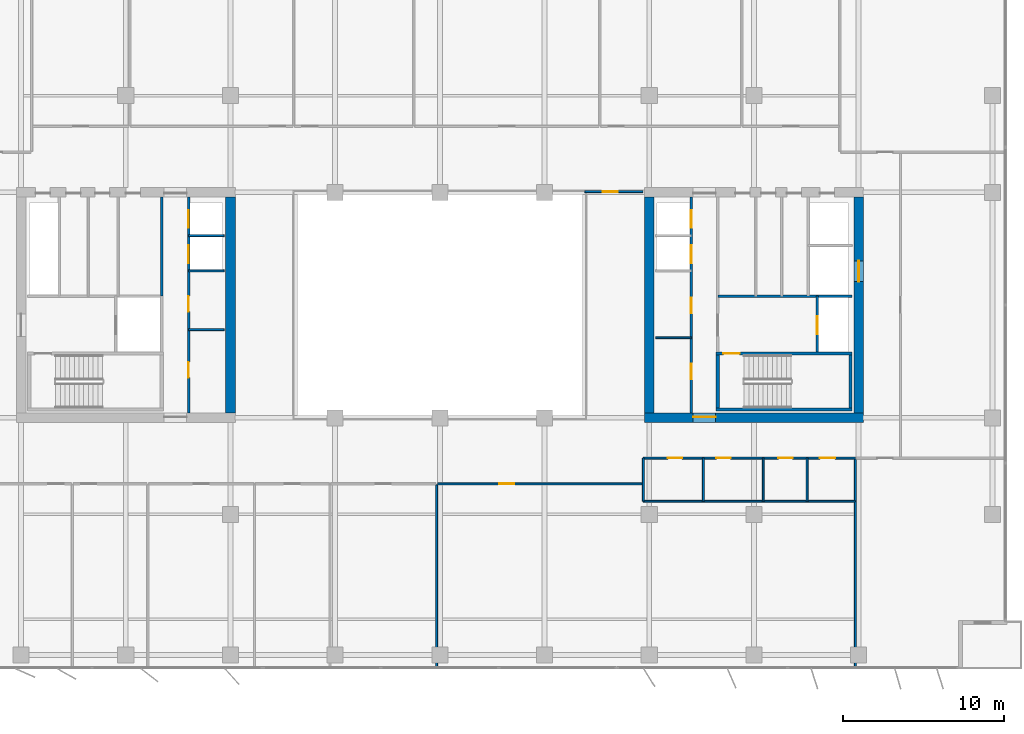
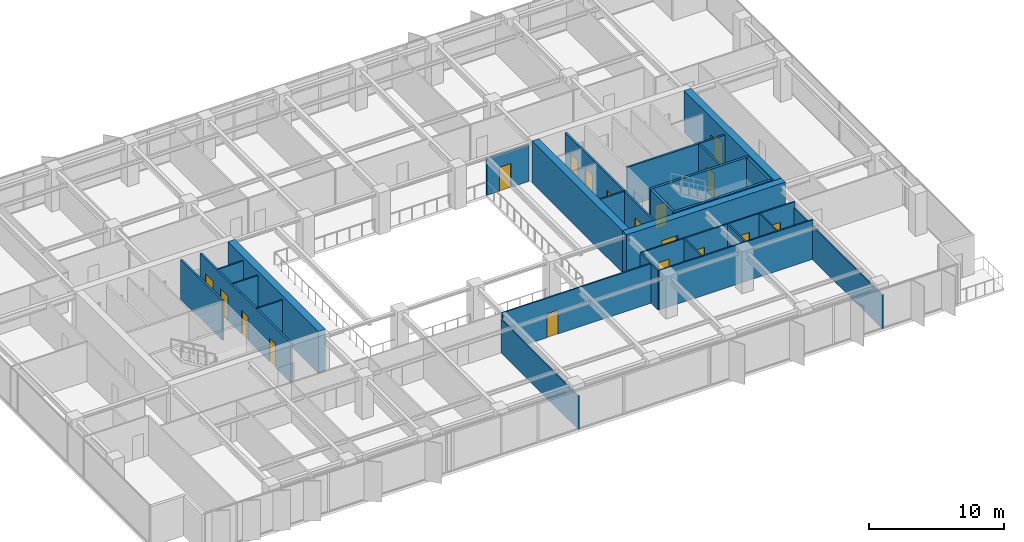
# One storey, part 16 of 22: 27 walls, 18 doors, 18 openings.
"""IFC4 building model written with IfcOpenShell, lengths in metres."""

from ifc_helpers import new_model, si_unit, direction, frame, frame_2d, origin, place, context, subcontext, project, spatial, rectangle, extrude, material, layer, layer_set, type_object, element, fill, save


model = new_model("IFC4")

# Units and contexts
model_context = context("Model", 3, precision=1e-05, world=origin(), true_north=direction((0.0, 1.0)))
body_context = subcontext(model_context, "Body", "Model", "MODEL_VIEW")
ifc_project = project(units=[si_unit("LENGTHUNIT", "METRE"), si_unit("AREAUNIT", "SQUARE_METRE"), si_unit("VOLUMEUNIT", "CUBIC_METRE"), si_unit("PLANEANGLEUNIT", "RADIAN"), si_unit("MASSUNIT", "GRAM", prefix="KILO")], contexts=[model_context])

# Site, building, storey
site_placement = place(None, origin())
site = spatial("IfcSite", under=ifc_project, at=site_placement, CompositionType="ELEMENT")
building_placement = place(site_placement, origin())
building = spatial("IfcBuilding", under=site, at=building_placement, Name="Putna Gate Headquarters", CompositionType="ELEMENT")
storey_placement = place(building_placement, frame((0.0, 0.0, 182.199951171875)))
storey = spatial("IfcBuildingStorey", under=building, at=storey_placement, Name="L45", CompositionType="ELEMENT", Elevation=182.199951171875)

# Wall
ifc_material_1 = material(Name="Concrete C50/60", Category="concrete")
ifc_layer_1 = layer(ifc_material_1, 0.60009765625)
ifc_layer_set_1 = layer_set([ifc_layer_1], Name="Concrete C50/60")
wall_type_1 = type_object("IfcWallType", Name="WALL-CORE-600", PredefinedType="SHEAR", material=ifc_layer_set_1)
wall_1_placement = place(storey_placement, frame((26.0, 19.300048828125, 0.0), z_axis=(0.0, 0.0, 1.0), x_axis=(0.0, 1.0, 0.0)))
element("IfcWall", 1, at=wall_1_placement, inside=storey, type_object=wall_type_1, Name="L45 WC Split Core Shear Wall E", PredefinedType="SHEAR", context=body_context, shape_type="SweptSolid", body=[
    extrude(rectangle(XDim=13.39990234375, YDim=0.60009765625, at=frame_2d((6.699951171875, 0.0))), origin(), (0.0, 0.0, 1.0), 3.800048828125),
])

# Wall, opening, door
wall_2_placement = place(storey_placement, frame((51.699951171875, 19.0, 0.0), z_axis=(0.0, 0.0, 1.0), x_axis=(1.0, 0.0, 0.0)))
wall_2 = element("IfcWall", 2, at=wall_2_placement, inside=storey, type_object=wall_type_1, Name="L45 EC Split Core Shear Wall S", PredefinedType="SHEAR", context=body_context, shape_type="SweptSolid", body=[
    extrude(rectangle(XDim=13.60009765625, YDim=0.60009765625, at=frame_2d((6.800048828125, 0.0))), origin(), (0.0, 0.0, 1.0), 3.800048828125),
])
opening_1_placement = place(wall_2_placement, frame((3.02001953125, 0.0, 0.0)))
opening_1 = element("IfcOpeningElement", 3, at=opening_1_placement, cuts=wall_2, Name="Opening FDD-140", PredefinedType="OPENING", context=body_context, shape_type="SweptSolid", body=[
    extrude(rectangle(XDim=1.39990234375, YDim=2.199951171875, at=frame_2d((0.699951171875, 1.10009765625))), frame((0.0, 0.31005859375, 0.0), z_axis=(0.0, -1.0, 0.0), x_axis=(1.0, 0.0, 0.0)), (0.0, 0.0, 1.0), 0.6201171875),
])
ifc_material_2 = material(Name="Double steel fire door", Category="steel")
door_type_1 = type_object("IfcDoorType", Name="DOOR-FIRE-DBL-1400", OperationType="DOUBLE_DOOR_SINGLE_SWING", PredefinedType="DOOR", material=ifc_material_2)
door_1_placement = place(opening_1_placement, origin())
door_1 = element("IfcDoor", 4, at=door_1_placement, inside=storey, type_object=door_type_1, Name="L45 East Lift Lobby South Door", OperationType="DOUBLE_DOOR_SINGLE_SWING", OverallHeight=2.199951171875, OverallWidth=1.39990234375, PredefinedType="DOOR", context=body_context, shape_type="SweptSolid", body=[
    extrude(rectangle(XDim=1.39990234375, YDim=2.199951171875, at=frame_2d((0.699951171875, 1.10009765625))), frame((0.0, 0.0751953125, 0.0), z_axis=(0.0, -1.0, 0.0), x_axis=(1.0, 0.0, 0.0)), (0.0, 0.0, 1.0), 0.050048828125),
])
fill(opening_1, door_1)

# Wall
wall_3_placement = place(storey_placement, frame((52.0, 19.300048828125, 0.0), z_axis=(0.0, 0.0, 1.0), x_axis=(0.0, 1.0, 0.0)))
element("IfcWall", 5, at=wall_3_placement, inside=storey, type_object=wall_type_1, Name="L45 EC Split Core Shear Wall W", PredefinedType="SHEAR", context=body_context, shape_type="SweptSolid", body=[
    extrude(rectangle(XDim=13.39990234375, YDim=0.60009765625, at=frame_2d((6.699951171875, 0.0))), origin(), (0.0, 0.0, 1.0), 3.800048828125),
])

# Wall, opening, door
wall_4_placement = place(storey_placement, frame((65.0, 19.300048828125, 0.0), z_axis=(0.0, 0.0, 1.0), x_axis=(0.0, 1.0, 0.0)))
wall_4 = element("IfcWall", 6, at=wall_4_placement, inside=storey, type_object=wall_type_1, Name="L45 EC Split Core Shear Wall E", PredefinedType="SHEAR", context=body_context, shape_type="SweptSolid", body=[
    extrude(rectangle(XDim=13.39990234375, YDim=0.60009765625, at=frame_2d((6.699951171875, 0.0))), origin(), (0.0, 0.0, 1.0), 3.800048828125),
])
opening_2_placement = place(wall_4_placement, frame((8.14990234375, 0.0, 0.0)))
opening_2 = element("IfcOpeningElement", 7, at=opening_2_placement, cuts=wall_4, Name="Opening LD-2", PredefinedType="OPENING", context=body_context, shape_type="SweptSolid", body=[
    extrude(rectangle(XDim=1.300048828125, YDim=2.199951171875, at=frame_2d((0.64990234375, 1.10009765625))), frame((0.0, 0.31005859375, 0.0), z_axis=(0.0, -1.0, 0.0), x_axis=(1.0, 0.0, 0.0)), (0.0, 0.0, 1.0), 0.6201171875),
])
ifc_material_3 = material(Name="Heavy-duty goods lift sliding landing door")
door_type_2 = type_object("IfcDoorType", Name="DOOR-LIFT-1300", OperationType="DOUBLE_DOOR_SLIDING", PredefinedType="DOOR", material=ifc_material_3)
door_2_placement = place(opening_2_placement, origin())
door_2 = element("IfcDoor", 8, at=door_2_placement, inside=storey, type_object=door_type_2, Name="L45 Goods Lift Landing Door LD-15", OperationType="DOUBLE_DOOR_SLIDING", OverallHeight=2.199951171875, OverallWidth=1.300048828125, PredefinedType="DOOR", context=body_context, shape_type="SweptSolid", body=[
    extrude(rectangle(XDim=1.300048828125, YDim=2.199951171875, at=frame_2d((0.64990234375, 1.10009765625))), frame((0.0, 0.02490234375, 0.0), z_axis=(0.0, -1.0, 0.0), x_axis=(1.0, 0.0, 0.0)), (0.0, 0.0, 1.0), 0.050048828125),
])
fill(opening_2, door_2)

ifc_material_4 = material(Name="Acoustic gypsum board on metal stud")
ifc_layer_2 = layer(ifc_material_4, 0.1201171875)
ifc_layer_set_2 = layer_set([ifc_layer_2], Name="Acoustic gypsum board on metal stud")
wall_type_2 = type_object("IfcWallType", Name="WALL-PART-120", PredefinedType="PARTITIONING", material=ifc_layer_set_2)
wall_5_placement = place(storey_placement, frame((48.0, 33.0400390625, 0.0), z_axis=(0.0, 0.0, 1.0), x_axis=(1.0, 0.0, 0.0)))
wall_5 = element("IfcWall", 9, at=wall_5_placement, inside=storey, type_object=wall_type_2, Name="L45 Interior Wall PART-L45-ATR-E-N", PredefinedType="PARTITIONING", context=body_context, shape_type="SweptSolid", body=[
    extrude(rectangle(XDim=3.60009765625, YDim=0.1201171875, at=frame_2d((1.800048828125, 0.0))), origin(), (0.0, 0.0, 1.0), 3.31201171875),
])
opening_3_placement = place(wall_5_placement, frame((1.10009765625, 0.0, 0.0)))
opening_3 = element("IfcOpeningElement", 10, at=opening_3_placement, cuts=wall_5, Name="Opening ID-95", PredefinedType="OPENING", context=body_context, shape_type="SweptSolid", body=[
    extrude(rectangle(XDim=0.949951171875, YDim=2.14990234375, at=frame_2d((0.47509765625, 1.074951171875))), frame((0.0, 0.070068359375, 0.0), z_axis=(0.0, -1.0, 0.0), x_axis=(1.0, 0.0, 0.0)), (0.0, 0.0, 1.0), 0.14013671875),
])
ifc_material_5 = material(Name="Veneered acoustic timber door", Category="wood")
door_type_3 = type_object("IfcDoorType", Name="DOOR-OFF-950", OperationType="NOTDEFINED", PredefinedType="DOOR", material=ifc_material_5)
door_3_placement = place(opening_3_placement, origin())
door_3 = element("IfcDoor", 11, at=door_3_placement, inside=storey, type_object=door_type_3, Name="L45 East Sky Atrium Lounge Door", OperationType="SINGLE_SWING_LEFT", OverallHeight=2.14990234375, OverallWidth=0.949951171875, PredefinedType="DOOR", context=body_context, shape_type="SweptSolid", body=[
    extrude(rectangle(XDim=0.949951171875, YDim=2.14990234375, at=frame_2d((0.47509765625, 1.074951171875))), frame((0.0, 0.02490234375, 0.0), z_axis=(0.0, -1.0, 0.0), x_axis=(1.0, 0.0, 0.0)), (0.0, 0.0, 1.0), 0.050048828125),
])
fill(opening_3, door_3)

# Walls
wall_6_placement = place(storey_placement, frame((38.800048828125, 3.419921875, 0.0), z_axis=(0.0, 0.0, 1.0), x_axis=(0.0, 1.0, 0.0)))
element("IfcWall", 12, at=wall_6_placement, inside=storey, type_object=wall_type_2, Name="L45 Interior Wall PART-L45-SB-DIV-06", PredefinedType="PARTITIONING", context=body_context, shape_type="SweptSolid", body=[
    extrude(rectangle(XDim=11.420166015625, YDim=0.1201171875, at=frame_2d((5.7099609375, 0.0))), origin(), (0.0, 0.0, 1.0), 3.02197265625),
])
wall_7_placement = place(storey_placement, frame((64.800048828125, 3.419921875, 0.0), z_axis=(0.0, 0.0, 1.0), x_axis=(0.0, 1.0, 0.0)))
element("IfcWall", 13, at=wall_7_placement, inside=storey, type_object=wall_type_2, Name="L45 Interior Wall PART-L45-SB-DIV-07", PredefinedType="PARTITIONING", context=body_context, shape_type="SweptSolid", body=[
    extrude(rectangle(XDim=13.02001953125, YDim=0.1201171875, at=frame_2d((6.510009765625, 0.0))), origin(), (0.0, 0.0, 1.0), 3.02197265625),
])
ifc_material_6 = material(Name="Fire-rated shaftwall gypsum board on metal stud")
ifc_layer_3 = layer(ifc_material_6, 0.1201171875)
ifc_layer_set_3 = layer_set([ifc_layer_3], Name="Fire-rated shaftwall gypsum board on metal stud")
wall_type_3 = type_object("IfcWallType", Name="WALL-PART-120-EI120", PredefinedType="PARTITIONING", material=ifc_layer_set_3)
wall_8_placement = place(storey_placement, frame((23.39990234375, 30.31005859375, 0.0), z_axis=(0.0, 0.0, 1.0), x_axis=(1.0, 0.0, 0.0)))
element("IfcWall", 14, at=wall_8_placement, inside=storey, type_object=wall_type_3, Name="L45 Interior Wall CWINT-L45-WC-LF09-DIV", PredefinedType="PARTITIONING", context=body_context, shape_type="SweptSolid", body=[
    extrude(rectangle(XDim=2.2001953125, YDim=0.1201171875, at=frame_2d((1.10009765625, 0.0))), origin(), (0.0, 0.0, 1.0), 3.572021484375),
])
ifc_material_7 = material(Name="Fire-rated gypsum board on metal stud")
ifc_layer_4 = layer(ifc_material_7, 0.1201171875)
ifc_layer_set_4 = layer_set([ifc_layer_4], Name="Fire-rated gypsum board on metal stud")
wall_type_4 = type_object("IfcWallType", Name="WALL-PART-120-RATED", PredefinedType="PARTITIONING", material=ifc_layer_set_4)
for number, where, z_axis, x_axis, name in (
    (15, (23.39990234375, 24.469970703125, 0.0), (0.0, 0.0, 1.0), (1.0, 0.0, 0.0), "L45 Interior Wall CWINT-L45-WC-REUSE-DIV"),
    (16, (23.39990234375, 28.1201171875, 0.0), (0.0, 0.0, 1.0), (1.0, 0.0, 0.0), "L45 Interior Wall CWINT-L45-WC-LF06-DIV"),
    (17, (52.39990234375, 23.969970703125, 0.0), (0.0, 0.0, 1.0), (1.0, 0.0, 0.0), "L45 Interior Wall CWINT-L45-EC-REUSE-DIV"),
):
    element("IfcWall", number, at=place(storey_placement, frame(where, z_axis=z_axis, x_axis=x_axis)), inside=storey, type_object=wall_type_4, Name=name, PredefinedType="PARTITIONING", context=body_context, shape_type="SweptSolid", body=[
        extrude(rectangle(XDim=2.2001953125, YDim=0.1201171875, at=frame_2d((1.10009765625, 0.0))), origin(), (0.0, 0.0, 1.0), 3.572021484375),
    ])

# Wall, openings, doors
wall_9_placement = place(storey_placement, frame((51.639892578125, 16.5, 0.0), z_axis=(0.0, 0.0, 1.0), x_axis=(1.0, 0.0, 0.0)))
wall_9 = element("IfcWall", 18, at=wall_9_placement, inside=storey, type_object=wall_type_4, Name="L45 Interior Wall PART-L45-SAN-CW", PredefinedType="PARTITIONING", context=body_context, shape_type="SweptSolid", body=[
    extrude(rectangle(XDim=13.16015625, YDim=0.1201171875, at=frame_2d((6.580078125, 0.0))), origin(), (0.0, 0.0, 1.0), 3.572021484375),
])
opening_4_placement = place(wall_9_placement, frame((1.510009765625, 0.0, 0.0)))
opening_4 = element("IfcOpeningElement", 19, at=opening_4_placement, cuts=wall_9, Name="Opening FD-90", PredefinedType="OPENING", context=body_context, shape_type="SweptSolid", body=[
    extrude(rectangle(XDim=0.89990234375, YDim=2.14990234375, at=frame_2d((0.449951171875, 1.074951171875))), frame((0.0, 0.070068359375, 0.0), z_axis=(0.0, -1.0, 0.0), x_axis=(1.0, 0.0, 0.0)), (0.0, 0.0, 1.0), 0.14013671875),
])
opening_5_placement = place(wall_9_placement, frame((4.510009765625, 0.0, 0.0)))
opening_5 = element("IfcOpeningElement", 20, at=opening_5_placement, cuts=wall_9, Name="Opening FD-90", PredefinedType="OPENING", context=body_context, shape_type="SweptSolid", body=[
    extrude(rectangle(XDim=0.89990234375, YDim=2.14990234375, at=frame_2d((0.449951171875, 1.074951171875))), frame((0.0, 0.070068359375, 0.0), z_axis=(0.0, -1.0, 0.0), x_axis=(1.0, 0.0, 0.0)), (0.0, 0.0, 1.0), 0.14013671875),
])
opening_6_placement = place(wall_9_placement, frame((8.360107421875, 0.0, 0.0)))
opening_6 = element("IfcOpeningElement", 21, at=opening_6_placement, cuts=wall_9, Name="Opening FD-90", PredefinedType="OPENING", context=body_context, shape_type="SweptSolid", body=[
    extrude(rectangle(XDim=0.89990234375, YDim=2.14990234375, at=frame_2d((0.449951171875, 1.074951171875))), frame((0.0, 0.070068359375, 0.0), z_axis=(0.0, -1.0, 0.0), x_axis=(1.0, 0.0, 0.0)), (0.0, 0.0, 1.0), 0.14013671875),
])
opening_7_placement = place(wall_9_placement, frame((10.9599609375, 0.0, 0.0)))
opening_7 = element("IfcOpeningElement", 22, at=opening_7_placement, cuts=wall_9, Name="Opening FD-95", PredefinedType="OPENING", context=body_context, shape_type="SweptSolid", body=[
    extrude(rectangle(XDim=0.949951171875, YDim=2.14990234375, at=frame_2d((0.47509765625, 1.074951171875))), frame((0.0, 0.070068359375, 0.0), z_axis=(0.0, -1.0, 0.0), x_axis=(1.0, 0.0, 0.0)), (0.0, 0.0, 1.0), 0.14013671875),
])
ifc_material_8 = material(Name="Acoustic washroom fire door")
door_type_4 = type_object("IfcDoorType", Name="DOOR-FIRE-900", OperationType="NOTDEFINED", PredefinedType="DOOR", material=ifc_material_8)
door_4_placement = place(opening_4_placement, origin())
door_4 = element("IfcDoor", 23, at=door_4_placement, inside=storey, type_object=door_type_4, Name="L45 Washroom Male Door", OperationType="SINGLE_SWING_RIGHT", OverallHeight=2.14990234375, OverallWidth=0.89990234375, PredefinedType="DOOR", context=body_context, shape_type="SweptSolid", body=[
    extrude(rectangle(XDim=0.89990234375, YDim=2.14990234375, at=frame_2d((0.449951171875, 1.074951171875))), frame((0.0, 0.02490234375, 0.0), z_axis=(0.0, -1.0, 0.0), x_axis=(1.0, 0.0, 0.0)), (0.0, 0.0, 1.0), 0.050048828125),
])
fill(opening_4, door_4)
door_5_placement = place(opening_5_placement, origin())
door_5 = element("IfcDoor", 24, at=door_5_placement, inside=storey, type_object=door_type_4, Name="L45 Washroom Female Door", OperationType="SINGLE_SWING_LEFT", OverallHeight=2.14990234375, OverallWidth=0.89990234375, PredefinedType="DOOR", context=body_context, shape_type="SweptSolid", body=[
    extrude(rectangle(XDim=0.89990234375, YDim=2.14990234375, at=frame_2d((0.449951171875, 1.074951171875))), frame((0.0, 0.02490234375, 0.0), z_axis=(0.0, -1.0, 0.0), x_axis=(1.0, 0.0, 0.0)), (0.0, 0.0, 1.0), 0.050048828125),
])
fill(opening_5, door_5)
door_6_placement = place(opening_6_placement, origin())
door_6 = element("IfcDoor", 25, at=door_6_placement, inside=storey, type_object=door_type_4, Name="L45 Accessible WC Door", OperationType="SINGLE_SWING_RIGHT", OverallHeight=2.14990234375, OverallWidth=0.89990234375, PredefinedType="DOOR", context=body_context, shape_type="SweptSolid", body=[
    extrude(rectangle(XDim=0.89990234375, YDim=2.14990234375, at=frame_2d((0.449951171875, 1.074951171875))), frame((0.0, 0.02490234375, 0.0), z_axis=(0.0, -1.0, 0.0), x_axis=(1.0, 0.0, 0.0)), (0.0, 0.0, 1.0), 0.050048828125),
])
fill(opening_6, door_6)
ifc_material_9 = material(Name="Acoustic timber fire door", Category="wood")
door_type_5 = type_object("IfcDoorType", Name="DOOR-FIRE-950", OperationType="NOTDEFINED", PredefinedType="DOOR", material=ifc_material_9)
door_7_placement = place(opening_7_placement, origin())
door_7 = element("IfcDoor", 26, at=door_7_placement, inside=storey, type_object=door_type_5, Name="L45 Staff Pantry and Tea Point Door", OperationType="SINGLE_SWING_LEFT", OverallHeight=2.14990234375, OverallWidth=0.949951171875, PredefinedType="DOOR", context=body_context, shape_type="SweptSolid", body=[
    extrude(rectangle(XDim=0.949951171875, YDim=2.14990234375, at=frame_2d((0.47509765625, 1.074951171875))), frame((0.0, 0.02490234375, 0.0), z_axis=(0.0, -1.0, 0.0), x_axis=(1.0, 0.0, 0.0)), (0.0, 0.0, 1.0), 0.050048828125),
])
fill(opening_7, door_7)

# Walls
wall_10_placement = place(storey_placement, frame((51.639892578125, 13.820068359375, 0.0), z_axis=(0.0, 0.0, 1.0), x_axis=(1.0, 0.0, 0.0)))
element("IfcWall", 27, at=wall_10_placement, inside=storey, type_object=wall_type_4, Name="L45 Interior Wall PART-L45-SAN-BACK", PredefinedType="PARTITIONING", context=body_context, shape_type="SweptSolid", body=[
    extrude(rectangle(XDim=13.16015625, YDim=0.1201171875, at=frame_2d((6.580078125, 0.0))), origin(), (0.0, 0.0, 1.0), 3.572021484375),
])
for number, where, z_axis, x_axis, name in (
    (28, (51.639892578125, 13.820068359375, 0.0), (0.0, 0.0, 1.0), (0.0, 1.0, 0.0), "L45 Interior Wall PART-L45-SAN-DIV-1"),
    (29, (55.360107421875, 13.820068359375, 0.0), (0.0, 0.0, 1.0), (0.0, 1.0, 0.0), "L45 Interior Wall PART-L45-SAN-DIV-2"),
    (30, (59.080078125, 13.820068359375, 0.0), (0.0, 0.0, 1.0), (0.0, 1.0, 0.0), "L45 Interior Wall PART-L45-SAN-DIV-3"),
    (31, (61.800048828125, 13.820068359375, 0.0), (0.0, 0.0, 1.0), (0.0, 1.0, 0.0), "L45 Interior Wall PART-L45-SAN-DIV-4"),
):
    element("IfcWall", number, at=place(storey_placement, frame(where, z_axis=z_axis, x_axis=x_axis)), inside=storey, type_object=wall_type_4, Name=name, PredefinedType="PARTITIONING", context=body_context, shape_type="SweptSolid", body=[
        extrude(rectangle(XDim=2.679931640625, YDim=0.1201171875, at=frame_2d((1.33984375, 0.0))), origin(), (0.0, 0.0, 1.0), 3.572021484375),
    ])

# Wall, opening, door
wall_11_placement = place(storey_placement, frame((38.860107421875, 14.89990234375, 0.0), z_axis=(0.0, 0.0, 1.0), x_axis=(1.0, 0.0, 0.0)))
wall_11 = element("IfcWall", 32, at=wall_11_placement, inside=storey, type_object=wall_type_4, Name="L45 Interior Wall PART-L45-SB-CW-07", PredefinedType="PARTITIONING", context=body_context, shape_type="SweptSolid", body=[
    extrude(rectangle(XDim=12.719970703125, YDim=0.1201171875, at=frame_2d((6.35986328125, 0.0))), origin(), (0.0, 0.0, 1.0), 3.572021484375),
])
opening_8_placement = place(wall_11_placement, frame((3.81591796875, 0.0, 0.0)))
opening_8 = element("IfcOpeningElement", 33, at=opening_8_placement, cuts=wall_11, Name="Opening FD-95", PredefinedType="OPENING", context=body_context, shape_type="SweptSolid", body=[
    extrude(rectangle(XDim=0.949951171875, YDim=2.14990234375, at=frame_2d((0.47509765625, 1.074951171875))), frame((0.0, 0.070068359375, 0.0), z_axis=(0.0, -1.0, 0.0), x_axis=(1.0, 0.0, 0.0)), (0.0, 0.0, 1.0), 0.14013671875),
])
door_8_placement = place(opening_8_placement, origin())
door_8 = element("IfcDoor", 34, at=door_8_placement, inside=storey, type_object=door_type_5, Name="L45 Primary Open Office Workplace Door", OperationType="SINGLE_SWING_RIGHT", OverallHeight=2.14990234375, OverallWidth=0.949951171875, PredefinedType="DOOR", context=body_context, shape_type="SweptSolid", body=[
    extrude(rectangle(XDim=0.949951171875, YDim=2.14990234375, at=frame_2d((0.47509765625, 1.074951171875))), frame((0.0, 0.02490234375, 0.0), z_axis=(0.0, -1.0, 0.0), x_axis=(1.0, 0.0, 0.0)), (0.0, 0.0, 1.0), 0.050048828125),
])
fill(opening_8, door_8)

# Wall
ifc_material_10 = material(Name="Concrete C40/50", Category="concrete")
ifc_layer_5 = layer(ifc_material_10, 0.159912109375)
ifc_layer_set_5 = layer_set([ifc_layer_5], Name="Concrete C40/50")
wall_type_5 = type_object("IfcWallType", Name="WALL-SHAFT-160", PredefinedType="STANDARD", material=ifc_layer_set_5)
wall_12_placement = place(storey_placement, frame((21.739990234375, 26.56005859375, 0.0), z_axis=(0.0, 0.0, 1.0), x_axis=(0.0, 1.0, 0.0)))
element("IfcWall", 35, at=wall_12_placement, inside=storey, type_object=wall_type_5, Name="L45 Interior Wall CWINT-L45-WC-LOB-W", PredefinedType="STANDARD", context=body_context, shape_type="SweptSolid", body=[
    extrude(rectangle(XDim=6.139892578125, YDim=0.159912109375, at=frame_2d((3.06982421875, 0.0))), origin(), (0.0, 0.0, 1.0), 3.572021484375),
])

# Wall, openings, doors
wall_13_placement = place(storey_placement, frame((23.39990234375, 19.300048828125, 0.0), z_axis=(0.0, 0.0, 1.0), x_axis=(0.0, 1.0, 0.0)))
wall_13 = element("IfcWall", 36, at=wall_13_placement, inside=storey, type_object=wall_type_5, Name="L45 Interior Wall CWINT-L45-WC-PL-WALL", PredefinedType="STANDARD", context=body_context, shape_type="SweptSolid", body=[
    extrude(rectangle(XDim=13.39990234375, YDim=0.159912109375, at=frame_2d((6.699951171875, 0.0))), origin(), (0.0, 0.0, 1.0), 3.572021484375),
])
opening_9_placement = place(wall_13_placement, frame((2.199951171875, 0.0, 0.0)))
opening_9 = element("IfcOpeningElement", 37, at=opening_9_placement, cuts=wall_13, Name="Opening IDS-95", PredefinedType="OPENING", context=body_context, shape_type="SweptSolid", body=[
    extrude(rectangle(XDim=0.949951171875, YDim=2.14990234375, at=frame_2d((0.47509765625, 1.074951171875))), frame((0.0, 0.08984375, 0.0), z_axis=(0.0, -1.0, 0.0), x_axis=(1.0, 0.0, 0.0)), (0.0, 0.0, 1.0), 0.179931640625),
])
opening_10_placement = place(wall_13_placement, frame((6.300048828125, 0.0, 0.0)))
opening_10 = element("IfcOpeningElement", 38, at=opening_10_placement, cuts=wall_13, Name="Opening IDS-95", PredefinedType="OPENING", context=body_context, shape_type="SweptSolid", body=[
    extrude(rectangle(XDim=0.949951171875, YDim=2.14990234375, at=frame_2d((0.47509765625, 1.074951171875))), frame((0.0, 0.08984375, 0.0), z_axis=(0.0, -1.0, 0.0), x_axis=(1.0, 0.0, 0.0)), (0.0, 0.0, 1.0), 0.179931640625),
])
opening_11_placement = place(wall_13_placement, frame((9.300048828125, 0.0, 0.0)))
opening_11 = element("IfcOpeningElement", 39, at=opening_11_placement, cuts=wall_13, Name="Opening LD-1", PredefinedType="OPENING", context=body_context, shape_type="SweptSolid", body=[
    extrude(rectangle(XDim=1.10009765625, YDim=2.199951171875, at=frame_2d((0.550048828125, 1.10009765625))), frame((0.0, 0.08984375, 0.0), z_axis=(0.0, -1.0, 0.0), x_axis=(1.0, 0.0, 0.0)), (0.0, 0.0, 1.0), 0.179931640625),
])
opening_12_placement = place(wall_13_placement, frame((11.5, 0.0, 0.0)))
opening_12 = element("IfcOpeningElement", 40, at=opening_12_placement, cuts=wall_13, Name="Opening LD-1", PredefinedType="OPENING", context=body_context, shape_type="SweptSolid", body=[
    extrude(rectangle(XDim=1.10009765625, YDim=2.199951171875, at=frame_2d((0.550048828125, 1.10009765625))), frame((0.0, 0.08984375, 0.0), z_axis=(0.0, -1.0, 0.0), x_axis=(1.0, 0.0, 0.0)), (0.0, 0.0, 1.0), 0.179931640625),
])
ifc_material_11 = material(Name="Fire-rated service timber door", Category="wood")
door_type_6 = type_object("IfcDoorType", Name="DOOR-INT-950", OperationType="NOTDEFINED", PredefinedType="DOOR", material=ifc_material_11)
door_9_placement = place(opening_9_placement, origin())
door_9 = element("IfcDoor", 41, at=door_9_placement, inside=storey, type_object=door_type_6, Name="L45 Tenant IT Hub Door", OperationType="SINGLE_SWING_LEFT", OverallHeight=2.14990234375, OverallWidth=0.949951171875, PredefinedType="DOOR", context=body_context, shape_type="SweptSolid", body=[
    extrude(rectangle(XDim=0.949951171875, YDim=2.14990234375, at=frame_2d((0.47509765625, 1.074951171875))), frame((0.0, 0.02490234375, 0.0), z_axis=(0.0, -1.0, 0.0), x_axis=(1.0, 0.0, 0.0)), (0.0, 0.0, 1.0), 0.050048828125),
])
fill(opening_9, door_9)
door_10_placement = place(opening_10_placement, origin())
door_10 = element("IfcDoor", 42, at=door_10_placement, inside=storey, type_object=door_type_6, Name="L45 Records Vault Door", OperationType="SINGLE_SWING_RIGHT", OverallHeight=2.14990234375, OverallWidth=0.949951171875, PredefinedType="DOOR", context=body_context, shape_type="SweptSolid", body=[
    extrude(rectangle(XDim=0.949951171875, YDim=2.14990234375, at=frame_2d((0.47509765625, 1.074951171875))), frame((0.0, 0.02490234375, 0.0), z_axis=(0.0, -1.0, 0.0), x_axis=(1.0, 0.0, 0.0)), (0.0, 0.0, 1.0), 0.050048828125),
])
fill(opening_10, door_10)
ifc_material_12 = material(Name="Brushed bronze stainless lift landing door")
door_type_7 = type_object("IfcDoorType", Name="DOOR-LIFT-1100", OperationType="DOUBLE_DOOR_SLIDING", PredefinedType="DOOR", material=ifc_material_12)
door_11_placement = place(opening_11_placement, origin())
door_11 = element("IfcDoor", 43, at=door_11_placement, inside=storey, type_object=door_type_7, Name="L45 Lift Landing Door LD-09", OperationType="DOUBLE_DOOR_SLIDING", OverallHeight=2.199951171875, OverallWidth=1.10009765625, PredefinedType="DOOR", context=body_context, shape_type="SweptSolid", body=[
    extrude(rectangle(XDim=1.10009765625, YDim=2.199951171875, at=frame_2d((0.550048828125, 1.10009765625))), frame((0.0, 0.02490234375, 0.0), z_axis=(0.0, -1.0, 0.0), x_axis=(1.0, 0.0, 0.0)), (0.0, 0.0, 1.0), 0.050048828125),
])
fill(opening_11, door_11)
door_12_placement = place(opening_12_placement, origin())
door_12 = element("IfcDoor", 44, at=door_12_placement, inside=storey, type_object=door_type_7, Name="L45 Lift Landing Door LD-10", OperationType="DOUBLE_DOOR_SLIDING", OverallHeight=2.199951171875, OverallWidth=1.10009765625, PredefinedType="DOOR", context=body_context, shape_type="SweptSolid", body=[
    extrude(rectangle(XDim=1.10009765625, YDim=2.199951171875, at=frame_2d((0.550048828125, 1.10009765625))), frame((0.0, 0.02490234375, 0.0), z_axis=(0.0, -1.0, 0.0), x_axis=(1.0, 0.0, 0.0)), (0.0, 0.0, 1.0), 0.050048828125),
])
fill(opening_12, door_12)

wall_14_placement = place(storey_placement, frame((54.60009765625, 19.300048828125, 0.0), z_axis=(0.0, 0.0, 1.0), x_axis=(0.0, 1.0, 0.0)))
wall_14 = element("IfcWall", 45, at=wall_14_placement, inside=storey, type_object=wall_type_5, Name="L45 Interior Wall CWINT-L45-EC-PL-WALL", PredefinedType="STANDARD", context=body_context, shape_type="SweptSolid", body=[
    extrude(rectangle(XDim=13.39990234375, YDim=0.159912109375, at=frame_2d((6.699951171875, 0.0))), origin(), (0.0, 0.0, 1.0), 3.572021484375),
])
opening_13_placement = place(wall_14_placement, frame((2.10009765625, 0.0, 0.0)))
opening_13 = element("IfcOpeningElement", 46, at=opening_13_placement, cuts=wall_14, Name="Opening IDS-95", PredefinedType="OPENING", context=body_context, shape_type="SweptSolid", body=[
    extrude(rectangle(XDim=0.949951171875, YDim=2.14990234375, at=frame_2d((0.47509765625, 1.074951171875))), frame((0.0, 0.08984375, 0.0), z_axis=(0.0, -1.0, 0.0), x_axis=(1.0, 0.0, 0.0)), (0.0, 0.0, 1.0), 0.179931640625),
])
opening_14_placement = place(wall_14_placement, frame((6.199951171875, 0.0, 0.0)))
opening_14 = element("IfcOpeningElement", 47, at=opening_14_placement, cuts=wall_14, Name="Opening IDS-95", PredefinedType="OPENING", context=body_context, shape_type="SweptSolid", body=[
    extrude(rectangle(XDim=0.949951171875, YDim=2.14990234375, at=frame_2d((0.47509765625, 1.074951171875))), frame((0.0, 0.08984375, 0.0), z_axis=(0.0, -1.0, 0.0), x_axis=(1.0, 0.0, 0.0)), (0.0, 0.0, 1.0), 0.179931640625),
])
opening_15_placement = place(wall_14_placement, frame((9.300048828125, 0.0, 0.0)))
opening_15 = element("IfcOpeningElement", 48, at=opening_15_placement, cuts=wall_14, Name="Opening LD-1", PredefinedType="OPENING", context=body_context, shape_type="SweptSolid", body=[
    extrude(rectangle(XDim=1.10009765625, YDim=2.199951171875, at=frame_2d((0.550048828125, 1.10009765625))), frame((0.0, 0.08984375, 0.0), z_axis=(0.0, -1.0, 0.0), x_axis=(1.0, 0.0, 0.0)), (0.0, 0.0, 1.0), 0.179931640625),
])
opening_16_placement = place(wall_14_placement, frame((11.5, 0.0, 0.0)))
opening_16 = element("IfcOpeningElement", 49, at=opening_16_placement, cuts=wall_14, Name="Opening LD-1", PredefinedType="OPENING", context=body_context, shape_type="SweptSolid", body=[
    extrude(rectangle(XDim=1.10009765625, YDim=2.199951171875, at=frame_2d((0.550048828125, 1.10009765625))), frame((0.0, 0.08984375, 0.0), z_axis=(0.0, -1.0, 0.0), x_axis=(1.0, 0.0, 0.0)), (0.0, 0.0, 1.0), 0.179931640625),
])
door_13_placement = place(opening_13_placement, origin())
door_13 = element("IfcDoor", 50, at=door_13_placement, inside=storey, type_object=door_type_6, Name="L45 Executive Archive Door", OperationType="SINGLE_SWING_RIGHT", OverallHeight=2.14990234375, OverallWidth=0.949951171875, PredefinedType="DOOR", context=body_context, shape_type="SweptSolid", body=[
    extrude(rectangle(XDim=0.949951171875, YDim=2.14990234375, at=frame_2d((0.47509765625, 1.074951171875))), frame((0.0, 0.02490234375, 0.0), z_axis=(0.0, -1.0, 0.0), x_axis=(1.0, 0.0, 0.0)), (0.0, 0.0, 1.0), 0.050048828125),
])
fill(opening_13, door_13)
door_14_placement = place(opening_14_placement, origin())
door_14 = element("IfcDoor", 51, at=door_14_placement, inside=storey, type_object=door_type_6, Name="L45 Comms Distribution Door", OperationType="SINGLE_SWING_LEFT", OverallHeight=2.14990234375, OverallWidth=0.949951171875, PredefinedType="DOOR", context=body_context, shape_type="SweptSolid", body=[
    extrude(rectangle(XDim=0.949951171875, YDim=2.14990234375, at=frame_2d((0.47509765625, 1.074951171875))), frame((0.0, 0.02490234375, 0.0), z_axis=(0.0, -1.0, 0.0), x_axis=(1.0, 0.0, 0.0)), (0.0, 0.0, 1.0), 0.050048828125),
])
fill(opening_14, door_14)
door_15_placement = place(opening_15_placement, origin())
door_15 = element("IfcDoor", 52, at=door_15_placement, inside=storey, type_object=door_type_7, Name="L45 Lift Landing Door LD-11", OperationType="DOUBLE_DOOR_SLIDING", OverallHeight=2.199951171875, OverallWidth=1.10009765625, PredefinedType="DOOR", context=body_context, shape_type="SweptSolid", body=[
    extrude(rectangle(XDim=1.10009765625, YDim=2.199951171875, at=frame_2d((0.550048828125, 1.10009765625))), frame((0.0, 0.02490234375, 0.0), z_axis=(0.0, -1.0, 0.0), x_axis=(1.0, 0.0, 0.0)), (0.0, 0.0, 1.0), 0.050048828125),
])
fill(opening_15, door_15)
door_16_placement = place(opening_16_placement, origin())
door_16 = element("IfcDoor", 53, at=door_16_placement, inside=storey, type_object=door_type_7, Name="L45 Lift Landing Door LD-12", OperationType="DOUBLE_DOOR_SLIDING", OverallHeight=2.199951171875, OverallWidth=1.10009765625, PredefinedType="DOOR", context=body_context, shape_type="SweptSolid", body=[
    extrude(rectangle(XDim=1.10009765625, YDim=2.199951171875, at=frame_2d((0.550048828125, 1.10009765625))), frame((0.0, 0.02490234375, 0.0), z_axis=(0.0, -1.0, 0.0), x_axis=(1.0, 0.0, 0.0)), (0.0, 0.0, 1.0), 0.050048828125),
])
fill(opening_16, door_16)

# Wall, opening, door
wall_15_placement = place(storey_placement, frame((62.429931640625, 23.090087890625, 0.0), z_axis=(0.0, 0.0, 1.0), x_axis=(0.0, 1.0, 0.0)))
wall_15 = element("IfcWall", 54, at=wall_15_placement, inside=storey, type_object=wall_type_5, Name="L45 Interior Wall CWINT-L45-EC-LF14-W", PredefinedType="STANDARD", context=body_context, shape_type="SweptSolid", body=[
    extrude(rectangle(XDim=3.469970703125, YDim=0.159912109375, at=frame_2d((1.73486328125, 0.0))), origin(), (0.0, 0.0, 1.0), 3.572021484375),
])
opening_17_placement = place(wall_15_placement, frame((1.10009765625, 0.0, 0.0)))
opening_17 = element("IfcOpeningElement", 55, at=opening_17_placement, cuts=wall_15, Name="Opening LD-1", PredefinedType="OPENING", context=body_context, shape_type="SweptSolid", body=[
    extrude(rectangle(XDim=1.10009765625, YDim=2.199951171875, at=frame_2d((0.550048828125, 1.10009765625))), frame((0.0, 0.08984375, 0.0), z_axis=(0.0, -1.0, 0.0), x_axis=(1.0, 0.0, 0.0)), (0.0, 0.0, 1.0), 0.179931640625),
])
door_17_placement = place(opening_17_placement, origin())
door_17 = element("IfcDoor", 56, at=door_17_placement, inside=storey, type_object=door_type_7, Name="L45 Lift Landing Door LD-14", OperationType="DOUBLE_DOOR_SLIDING", OverallHeight=2.199951171875, OverallWidth=1.10009765625, PredefinedType="DOOR", context=body_context, shape_type="SweptSolid", body=[
    extrude(rectangle(XDim=1.10009765625, YDim=2.199951171875, at=frame_2d((0.550048828125, 1.10009765625))), frame((0.0, 0.02490234375, 0.0), z_axis=(0.0, -1.0, 0.0), x_axis=(1.0, 0.0, 0.0)), (0.0, 0.0, 1.0), 0.050048828125),
])
fill(opening_17, door_17)

# Walls
wall_16_placement = place(storey_placement, frame((56.260009765625, 26.56005859375, 0.0), z_axis=(0.0, 0.0, 1.0), x_axis=(1.0, 0.0, 0.0)))
element("IfcWall", 57, at=wall_16_placement, inside=storey, type_object=wall_type_5, Name="L45 Interior Wall CWINT-L45-EC-FFL-N", PredefinedType="STANDARD", context=body_context, shape_type="SweptSolid", body=[
    extrude(rectangle(XDim=8.340087890625, YDim=0.159912109375, at=frame_2d((4.169921875, 0.0))), origin(), (0.0, 0.0, 1.0), 3.572021484375),
])
ifc_layer_6 = layer(ifc_material_10, 0.199951171875)
ifc_layer_set_6 = layer_set([ifc_layer_6], Name="Concrete C40/50")
wall_type_6 = type_object("IfcWallType", Name="WALL-SHAFT-RC200", PredefinedType="SHEAR", material=ifc_layer_set_6)
wall_17_placement = place(storey_placement, frame((56.159912109375, 19.510009765625, 0.0), z_axis=(0.0, 0.0, 1.0), x_axis=(1.0, 0.0, 0.0)))
element("IfcWall", 58, at=wall_17_placement, inside=storey, type_object=wall_type_6, Name="L45 Stair ST2 Structural Shaft Wall S", PredefinedType="SHEAR", context=body_context, shape_type="SweptSolid", body=[
    extrude(rectangle(XDim=8.43017578125, YDim=0.199951171875, at=frame_2d((4.215087890625, 0.0))), origin(), (0.0, 0.0, 1.0), 3.800048828125),
])

# Wall, opening, door
wall_18_placement = place(storey_placement, frame((56.159912109375, 22.989990234375, 0.0), z_axis=(0.0, 0.0, 1.0), x_axis=(1.0, 0.0, 0.0)))
wall_18 = element("IfcWall", 59, at=wall_18_placement, inside=storey, type_object=wall_type_6, Name="L45 Stair ST2 Structural Shaft Wall N", PredefinedType="SHEAR", context=body_context, shape_type="SweptSolid", body=[
    extrude(rectangle(XDim=8.43017578125, YDim=0.199951171875, at=frame_2d((4.215087890625, 0.0))), origin(), (0.0, 0.0, 1.0), 3.800048828125),
])
opening_18_placement = place(wall_18_placement, frame((0.449951171875, 0.0, 0.0)))
opening_18 = element("IfcOpeningElement", 60, at=opening_18_placement, cuts=wall_18, Name="Opening FD-100", PredefinedType="OPENING", context=body_context, shape_type="SweptSolid", body=[
    extrude(rectangle(XDim=1.0, YDim=2.14990234375, at=frame_2d((0.5, 1.074951171875))), frame((0.0, 0.10986328125, 0.0), z_axis=(0.0, -1.0, 0.0), x_axis=(1.0, 0.0, 0.0)), (0.0, 0.0, 1.0), 0.219970703125),
])
ifc_material_13 = material(Name="Powder-coated steel fire door", Category="steel")
door_type_8 = type_object("IfcDoorType", Name="DOOR-FIRE-1000", OperationType="NOTDEFINED", PredefinedType="DOOR", material=ifc_material_13)
door_18_placement = place(opening_18_placement, origin())
door_18 = element("IfcDoor", 61, at=door_18_placement, inside=storey, type_object=door_type_8, Name="L45 Stair ST2 Fire Door", OperationType="SINGLE_SWING_RIGHT", OverallHeight=2.14990234375, OverallWidth=1.0, PredefinedType="DOOR", context=body_context, shape_type="SweptSolid", body=[
    extrude(rectangle(XDim=1.0, YDim=2.14990234375, at=frame_2d((0.5, 1.074951171875))), frame((0.0, 0.02490234375, 0.0), z_axis=(0.0, -1.0, 0.0), x_axis=(1.0, 0.0, 0.0)), (0.0, 0.0, 1.0), 0.050048828125),
])
fill(opening_18, door_18)

# Walls
for number, where, z_axis, x_axis, name in (
    (62, (56.260009765625, 19.610107421875, 0.0), (0.0, 0.0, 1.0), (0.0, 1.0, 0.0), "L45 Stair ST2 Structural Shaft Wall W"),
    (63, (64.489990234375, 19.610107421875, 0.0), (0.0, 0.0, 1.0), (0.0, 1.0, 0.0), "L45 Stair ST2 Structural Shaft Wall E"),
):
    element("IfcWall", number, at=place(storey_placement, frame(where, z_axis=z_axis, x_axis=x_axis)), inside=storey, type_object=wall_type_6, Name=name, PredefinedType="SHEAR", context=body_context, shape_type="SweptSolid", body=[
        extrude(rectangle(XDim=3.27978515625, YDim=0.199951171875, at=frame_2d((1.639892578125, 0.0))), origin(), (0.0, 0.0, 1.0), 3.800048828125),
    ])

save(model, "model.ifc")
